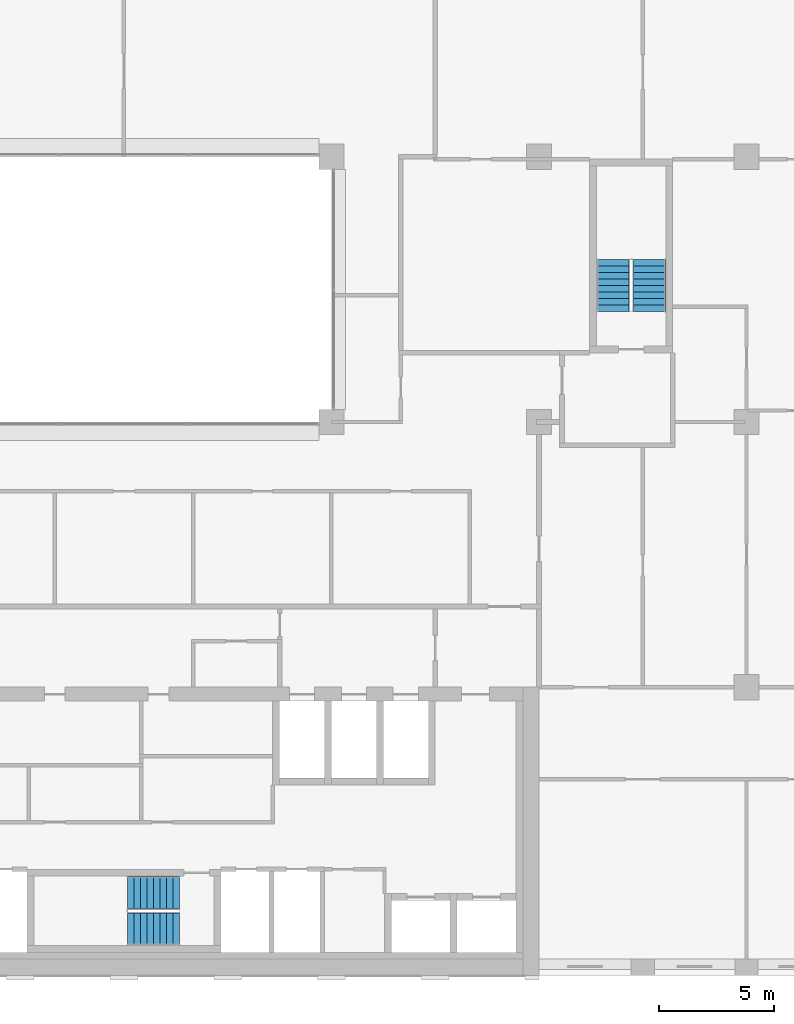
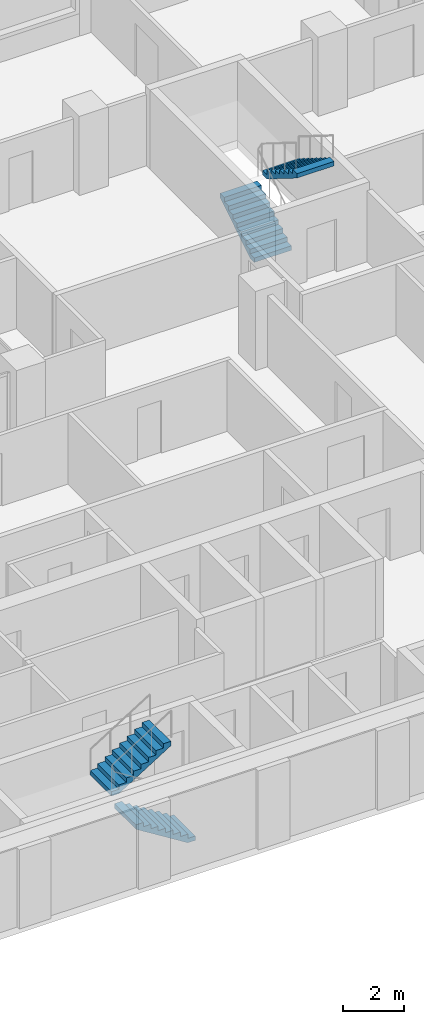
# One storey, part 15 of 16: 4 stair flights, 2 elements without a shape of their own.
"""IFC4 building model written with IfcOpenShell, lengths in metres."""

from ifc_helpers import new_model, si_unit, direction, frame, origin, place, context, subcontext, project, spatial, polyline, outline, extrude, material, type_object, element, aggregate, save


model = new_model("IFC4")

# Units and contexts
model_context = context("Model", 3, precision=1e-05, world=origin(), true_north=direction((0.0, 1.0)))
body_context = subcontext(model_context, "Body", "Model", "MODEL_VIEW")
ifc_project = project(units=[si_unit("LENGTHUNIT", "METRE"), si_unit("AREAUNIT", "SQUARE_METRE"), si_unit("VOLUMEUNIT", "CUBIC_METRE"), si_unit("PLANEANGLEUNIT", "RADIAN"), si_unit("MASSUNIT", "GRAM", prefix="KILO")], contexts=[model_context])

# Site, building, storey
site_placement = place(None, origin())
site = spatial("IfcSite", under=ifc_project, at=site_placement, CompositionType="ELEMENT")
building_placement = place(site_placement, origin())
building = spatial("IfcBuilding", under=site, at=building_placement, Name="Brigalow Station Residences", CompositionType="ELEMENT")
storey_placement = place(building_placement, frame((0.0, 0.0, 163.35009765625)))
storey = spatial("IfcBuildingStorey", under=building, at=storey_placement, Name="L47", CompositionType="ELEMENT", Elevation=163.35009765625)

# Stair, stair flights
ifc_material_1 = material(Name="Concrete C50", Category="concrete")
stair_type = type_object("IfcStairType", Name="EXIT STAIR 1400 2 FLIGHT", PredefinedType="HALF_TURN_STAIR", material=ifc_material_1)
stair_1_placement = place(storey_placement, origin())
stair_1 = element("IfcStair", 1, at=stair_1_placement, inside=storey, type_object=stair_type, Name="EXIT STAIR S2 L47", PredefinedType="HALF_TURN_STAIR")
ifc_material_2 = material(Name="Concrete C50", Category="concrete")
stair_flight_type = type_object("IfcStairFlightType", Name="STAIR FLIGHT 1400", PredefinedType="STRAIGHT", material=ifc_material_2)
stair_flight_1_placement = place(storey_placement, frame((38.39990234375, 2.0, 0.0), z_axis=(0.0, 0.0, 1.0), x_axis=(-1.0, 0.0, 0.0)))
stair_flight_1 = element("IfcStairFlight", 2, at=stair_flight_1_placement, type_object=stair_flight_type, Name="ST-2 flight 1", NumberOfRisers=9, NumberOfTreads=8, PredefinedType="STRAIGHT", RiserHeight=0.175, TreadLength=0.28, context=body_context, shape_type="SweptSolid", body=[
    extrude(outline(polyline([(0.0, 0.0), (0.0, 0.175048828125), (0.280029296875, 0.175048828125), (0.280029296875, 0.35009765625), (0.56005859375, 0.35009765625), (0.56005859375, 0.52490234375), (0.840087890625, 0.52490234375), (0.840087890625, 0.699951171875), (1.1201171875, 0.699951171875), (1.1201171875, 0.875), (1.39990234375, 0.875), (1.39990234375, 1.050048828125), (1.679931640625, 1.050048828125), (1.679931640625, 1.22509765625), (1.9599609375, 1.22509765625), (1.9599609375, 1.39990234375), (2.239990234375, 1.39990234375), (2.239990234375, 1.574951171875), (2.239990234375, 1.22314453125), (0.28271484375, 0.0), (0.0, 0.0)])), frame((0.0, 0.699951171875, 0.0), z_axis=(0.0, -1.0, 0.0), x_axis=(1.0, 0.0, 0.0)), (0.0, 0.0, 1.0), 1.39990234375),
])
stair_flight_2_placement = place(storey_placement, frame((36.159912109375, 3.60009765625, 1.574951171875), z_axis=(0.0, 0.0, 1.0), x_axis=(1.0, 0.0, 0.0)))
stair_flight_2 = element("IfcStairFlight", 3, at=stair_flight_2_placement, type_object=stair_flight_type, Name="ST-2 flight 2", NumberOfRisers=9, NumberOfTreads=8, PredefinedType="STRAIGHT", RiserHeight=0.175, TreadLength=0.28, context=body_context, shape_type="SweptSolid", body=[
    extrude(outline(polyline([(0.0, 0.0), (0.0, 0.175048828125), (0.280029296875, 0.175048828125), (0.280029296875, 0.35009765625), (0.56005859375, 0.35009765625), (0.56005859375, 0.52490234375), (0.840087890625, 0.52490234375), (0.840087890625, 0.699951171875), (1.1201171875, 0.699951171875), (1.1201171875, 0.875), (1.39990234375, 0.875), (1.39990234375, 1.050048828125), (1.679931640625, 1.050048828125), (1.679931640625, 1.22509765625), (1.9599609375, 1.22509765625), (1.9599609375, 1.39990234375), (2.239990234375, 1.39990234375), (2.239990234375, 1.574951171875), (2.239990234375, 1.22314453125), (0.28271484375, 0.0), (0.0, 0.0)])), frame((0.0, 0.699951171875, 0.0), z_axis=(0.0, -1.0, 0.0), x_axis=(1.0, 0.0, 0.0)), (0.0, 0.0, 1.0), 1.39990234375),
])
aggregate(stair_1, [stair_flight_1, stair_flight_2])

stair_2_placement = place(storey_placement, origin())
stair_2 = element("IfcStair", 4, at=stair_2_placement, inside=storey, type_object=stair_type, Name="EXIT STAIR S3 L47", PredefinedType="HALF_TURN_STAIR")
stair_flight_3_placement = place(storey_placement, frame((57.199951171875, 28.800048828125, 0.0), z_axis=(0.0, 0.0, 1.0), x_axis=(0.0, 1.0, 0.0)))
stair_flight_3 = element("IfcStairFlight", 5, at=stair_flight_3_placement, type_object=stair_flight_type, Name="ST-3 flight 1", NumberOfRisers=9, NumberOfTreads=8, PredefinedType="STRAIGHT", RiserHeight=0.175, TreadLength=0.28, context=body_context, shape_type="SweptSolid", body=[
    extrude(outline(polyline([(0.0, 0.0), (0.0, 0.175048828125), (0.280029296875, 0.175048828125), (0.280029296875, 0.35009765625), (0.56005859375, 0.35009765625), (0.56005859375, 0.52490234375), (0.840087890625, 0.52490234375), (0.840087890625, 0.699951171875), (1.1201171875, 0.699951171875), (1.1201171875, 0.875), (1.39990234375, 0.875), (1.39990234375, 1.050048828125), (1.679931640625, 1.050048828125), (1.679931640625, 1.22509765625), (1.9599609375, 1.22509765625), (1.9599609375, 1.39990234375), (2.239990234375, 1.39990234375), (2.239990234375, 1.574951171875), (2.239990234375, 1.22314453125), (0.28271484375, 0.0), (0.0, 0.0)])), frame((0.0, 0.699951171875, 0.0), z_axis=(0.0, -1.0, 0.0), x_axis=(1.0, 0.0, 0.0)), (0.0, 0.0, 1.0), 1.39990234375),
])
stair_flight_4_placement = place(storey_placement, frame((58.800048828125, 31.0400390625, 1.574951171875), z_axis=(0.0, 0.0, 1.0), x_axis=(0.0, -1.0, 0.0)))
stair_flight_4 = element("IfcStairFlight", 6, at=stair_flight_4_placement, type_object=stair_flight_type, Name="ST-3 flight 2", NumberOfRisers=9, NumberOfTreads=8, PredefinedType="STRAIGHT", RiserHeight=0.175, TreadLength=0.28, context=body_context, shape_type="SweptSolid", body=[
    extrude(outline(polyline([(0.0, 0.0), (0.0, 0.175048828125), (0.280029296875, 0.175048828125), (0.280029296875, 0.35009765625), (0.56005859375, 0.35009765625), (0.56005859375, 0.52490234375), (0.840087890625, 0.52490234375), (0.840087890625, 0.699951171875), (1.1201171875, 0.699951171875), (1.1201171875, 0.875), (1.39990234375, 0.875), (1.39990234375, 1.050048828125), (1.679931640625, 1.050048828125), (1.679931640625, 1.22509765625), (1.9599609375, 1.22509765625), (1.9599609375, 1.39990234375), (2.239990234375, 1.39990234375), (2.239990234375, 1.574951171875), (2.239990234375, 1.22314453125), (0.28271484375, 0.0), (0.0, 0.0)])), frame((0.0, 0.699951171875, 0.0), z_axis=(0.0, -1.0, 0.0), x_axis=(1.0, 0.0, 0.0)), (0.0, 0.0, 1.0), 1.39990234375),
])
aggregate(stair_2, [stair_flight_3, stair_flight_4])

save(model, "model.ifc")
